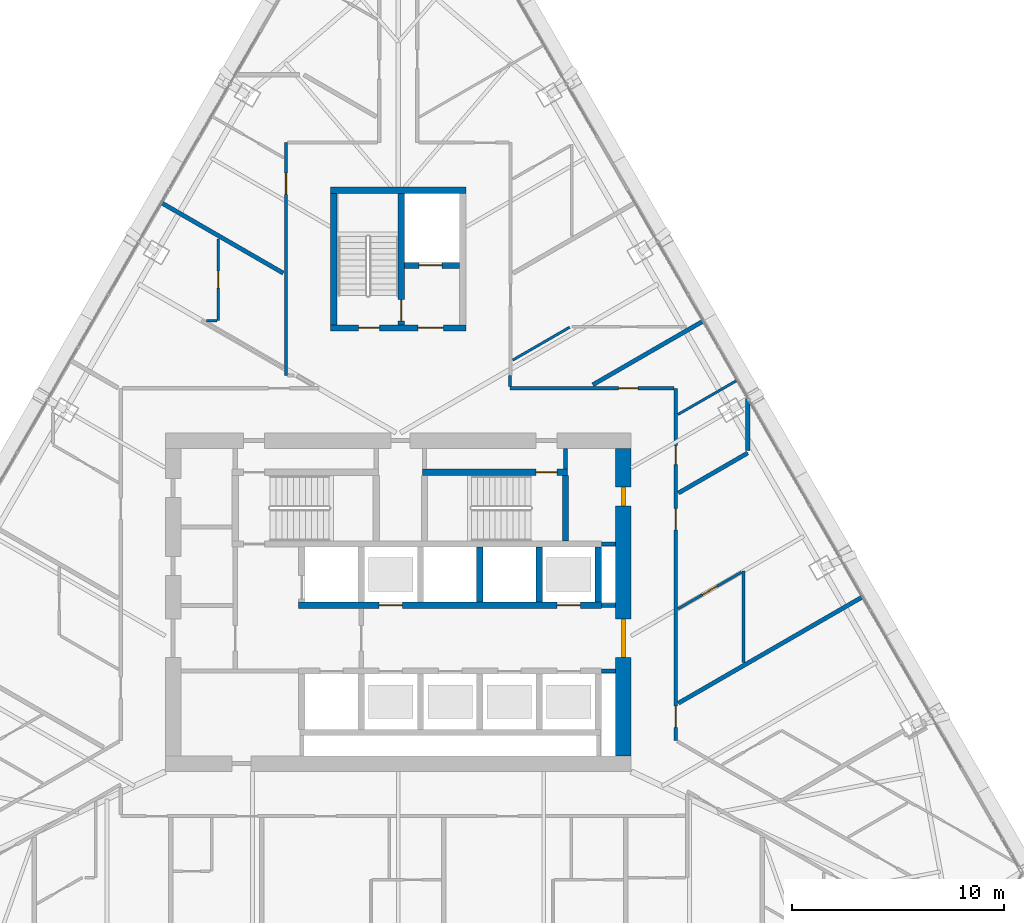
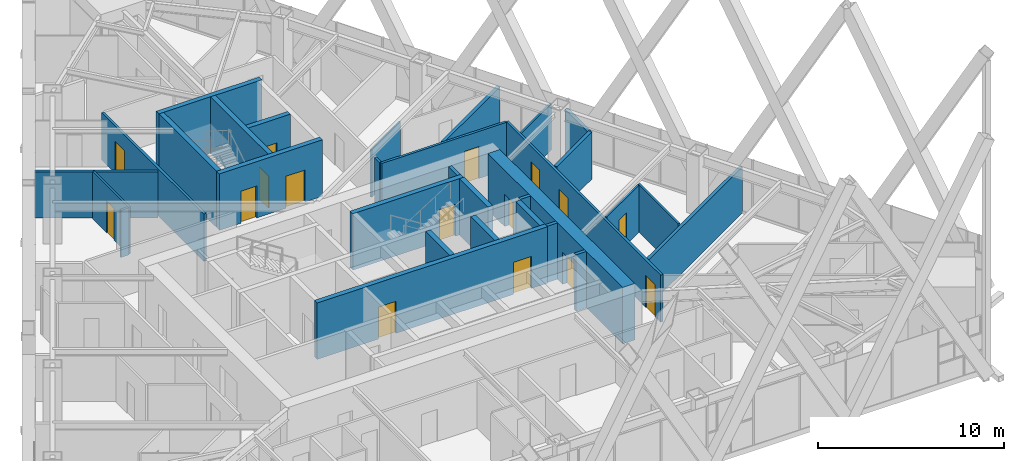
# One storey, part 20 of 23: 31 walls, 16 doors, 16 openings.
"""IFC4 building model written with IfcOpenShell, lengths in metres."""

from ifc_helpers import new_model, si_unit, direction, frame, frame_2d, origin, place, context, subcontext, project, spatial, rectangle, extrude, material, layer, layer_set, type_object, element, fill, save


model = new_model("IFC4")

# Units and contexts
model_context = context("Model", 3, precision=1e-05, world=origin(), true_north=direction((0.0, 1.0)))
body_context = subcontext(model_context, "Body", "Model", "MODEL_VIEW")
ifc_project = project(units=[si_unit("LENGTHUNIT", "METRE"), si_unit("AREAUNIT", "SQUARE_METRE"), si_unit("VOLUMEUNIT", "CUBIC_METRE"), si_unit("PLANEANGLEUNIT", "RADIAN"), si_unit("MASSUNIT", "GRAM", prefix="KILO")], contexts=[model_context])

# Site, building, storey
site_placement = place(None, origin())
site = spatial("IfcSite", under=ifc_project, at=site_placement, CompositionType="ELEMENT")
building_placement = place(site_placement, origin())
building = spatial("IfcBuilding", under=site, at=building_placement, Name="Firuza Gate Tower and Library", CompositionType="ELEMENT")
storey_placement = place(building_placement, frame((0.0, 0.0, 202.60009765625)))
storey = spatial("IfcBuildingStorey", under=building, at=storey_placement, Name="L47", CompositionType="ELEMENT", Elevation=202.60009765625)

# Walls
ifc_material_1 = material(Name="Plasterboard on steel studs", Category="steel")
ifc_layer_1 = layer(ifc_material_1, 0.199951171875)
ifc_layer_set_1 = layer_set([ifc_layer_1], Name="Core partition 200 EI 120")
wall_type_1 = type_object("IfcWallType", Name="Core partition 200 EI 120", PredefinedType="PARTITIONING", material=ifc_layer_set_1)
for number, where, z_axis, x_axis, name in (
    (1, (84.60009765625, 71.75, 0.0), (0.0, 0.0, 1.0), (1.0, 0.0, 0.0), "Core partition L47 2"),
    (2, (84.60009765625, 74.85009765625, 0.0), (0.0, 0.0, 1.0), (1.0, 0.0, 0.0), "Core partition L47 4"),
    (3, (84.60009765625, 77.75, 0.0), (0.0, 0.0, 1.0), (1.0, 0.0, 0.0), "Core partition L47 5"),
):
    element("IfcWall", number, at=place(storey_placement, frame(where, z_axis=z_axis, x_axis=x_axis)), inside=storey, type_object=wall_type_1, Name=name, PredefinedType="PARTITIONING", context=body_context, shape_type="SweptSolid", body=[
        extrude(rectangle(XDim=0.64990234375, YDim=0.199951171875, at=frame_2d((0.324951171875, 0.0))), origin(), (0.0, 0.0, 1.0), 3.699951171875),
    ])
ifc_material_2 = material(Name="Plasterboard on steel studs", Category="steel")
ifc_layer_2 = layer(ifc_material_2, 0.199951171875)
ifc_layer_set_2 = layer_set([ifc_layer_2], Name="Core partition 200 EI 60")
wall_type_2 = type_object("IfcWallType", Name="Core partition 200 EI 60", PredefinedType="PARTITIONING", material=ifc_layer_set_2)
wall_1_placement = place(storey_placement, frame((82.89990234375, 81.280029296875, 0.0), z_axis=(0.0, 0.0, 1.0), x_axis=(0.0, 1.0, 0.0)))
element("IfcWall", 4, at=wall_1_placement, inside=storey, type_object=wall_type_2, Name="Core partition L47 13", PredefinedType="PARTITIONING", context=body_context, shape_type="SweptSolid", body=[
    extrude(rectangle(XDim=0.969970703125, YDim=0.199951171875, at=frame_2d((0.48486328125, 0.0))), origin(), (0.0, 0.0, 1.0), 3.699951171875),
])

# Wall, openings, doors
ifc_material_3 = material(Name="Concrete C80/95", Category="concrete")
ifc_layer_3 = layer(ifc_material_3, 0.300048828125)
ifc_layer_set_3 = layer_set([ifc_layer_3], Name="Core wall 300 C80/95")
wall_type_3 = type_object("IfcWallType", Name="Core wall 300 C80/95", PredefinedType="SHEAR", material=ifc_layer_set_3)
wall_2_placement = place(storey_placement, frame((70.300048828125, 74.85009765625, 0.0), z_axis=(0.0, 0.0, 1.0), x_axis=(1.0, 0.0, 0.0)))
wall_2 = element("IfcWall", 5, at=wall_2_placement, inside=storey, type_object=wall_type_3, Name="Core wall L47 7", PredefinedType="SHEAR", context=body_context, shape_type="SweptSolid", body=[
    extrude(rectangle(XDim=14.300048828125, YDim=0.300048828125, at=frame_2d((7.14990234375, 0.0))), origin(), (0.0, 0.0, 1.0), 3.699951171875),
])
opening_1_placement = place(wall_2_placement, frame((3.800048828125, 0.0, 0.0)))
opening_1 = element("IfcOpeningElement", 6, at=opening_1_placement, cuts=wall_2, Name="Opening LD-MR4-L47", PredefinedType="OPENING", context=body_context, shape_type="SweptSolid", body=[
    extrude(rectangle(XDim=1.10009765625, YDim=2.10009765625, at=frame_2d((0.550048828125, 1.050048828125))), frame((0.0, 0.16015625, 0.0), z_axis=(0.0, -1.0, 0.0), x_axis=(1.0, 0.0, 0.0)), (0.0, 0.0, 1.0), 0.320068359375),
])
opening_2_placement = place(wall_2_placement, frame((12.199951171875, 0.0, 0.0)))
opening_2 = element("IfcOpeningElement", 7, at=opening_2_placement, cuts=wall_2, Name="Opening LD-MR6-L47", PredefinedType="OPENING", context=body_context, shape_type="SweptSolid", body=[
    extrude(rectangle(XDim=1.10009765625, YDim=2.10009765625, at=frame_2d((0.550048828125, 1.050048828125))), frame((0.0, 0.16015625, 0.0), z_axis=(0.0, -1.0, 0.0), x_axis=(1.0, 0.0, 0.0)), (0.0, 0.0, 1.0), 0.320068359375),
])
ifc_material_4 = material(Name="Stainless steel", Category="steel")
door_type_1 = type_object("IfcDoorType", Name="Lift landing door 1100x2100", OperationType="DOUBLE_DOOR_SLIDING", PredefinedType="DOOR", material=ifc_material_4)
door_1_placement = place(opening_1_placement, origin())
door_1 = element("IfcDoor", 8, at=door_1_placement, inside=storey, type_object=door_type_1, Name="Landing door MR4 L47", OperationType="DOUBLE_DOOR_SLIDING", OverallHeight=2.10009765625, OverallWidth=1.10009765625, PredefinedType="DOOR", context=body_context, shape_type="SweptSolid", body=[
    extrude(rectangle(XDim=1.10009765625, YDim=2.10009765625, at=frame_2d((0.550048828125, 1.050048828125))), frame((0.0, 0.02490234375, 0.0), z_axis=(0.0, -1.0, 0.0), x_axis=(1.0, 0.0, 0.0)), (0.0, 0.0, 1.0), 0.050048828125),
])
fill(opening_1, door_1)
door_2_placement = place(opening_2_placement, origin())
door_2 = element("IfcDoor", 9, at=door_2_placement, inside=storey, type_object=door_type_1, Name="Landing door MR6 L47", OperationType="DOUBLE_DOOR_SLIDING", OverallHeight=2.10009765625, OverallWidth=1.10009765625, PredefinedType="DOOR", context=body_context, shape_type="SweptSolid", body=[
    extrude(rectangle(XDim=1.10009765625, YDim=2.10009765625, at=frame_2d((0.550048828125, 1.050048828125))), frame((0.0, 0.02490234375, 0.0), z_axis=(0.0, -1.0, 0.0), x_axis=(1.0, 0.0, 0.0)), (0.0, 0.0, 1.0), 0.050048828125),
])
fill(opening_2, door_2)

# Walls
for number, where, z_axis, x_axis, name in (
    (10, (78.85009765625, 75.0, 0.0), (0.0, 0.0, 1.0), (0.0, 1.0, 0.0), "Core wall L47 15"),
    (11, (81.64990234375, 75.0, 0.0), (0.0, 0.0, 1.0), (0.0, 1.0, 0.0), "Core wall L47 17"),
    (12, (84.449951171875, 75.0, 0.0), (0.0, 0.0, 1.0), (0.0, 1.0, 0.0), "Core wall L47 19"),
):
    element("IfcWall", number, at=place(storey_placement, frame(where, z_axis=z_axis, x_axis=x_axis)), inside=storey, type_object=wall_type_3, Name=name, PredefinedType="SHEAR", context=body_context, shape_type="SweptSolid", body=[
        extrude(rectangle(XDim=2.60009765625, YDim=0.300048828125, at=frame_2d((1.300048828125, 0.0))), origin(), (0.0, 0.0, 1.0), 3.699951171875),
    ])

# Wall, opening, door
wall_3_placement = place(storey_placement, frame((76.139892578125, 81.1298828125, 0.0), z_axis=(0.0, 0.0, 1.0), x_axis=(1.0, 0.0, 0.0)))
wall_3 = element("IfcWall", 13, at=wall_3_placement, inside=storey, type_object=wall_type_3, Name="Core wall L47 22", PredefinedType="SHEAR", context=body_context, shape_type="SweptSolid", body=[
    extrude(rectangle(XDim=6.860107421875, YDim=0.300048828125, at=frame_2d((3.43017578125, 0.0))), origin(), (0.0, 0.0, 1.0), 3.699951171875),
])
opening_3_placement = place(wall_3_placement, frame((5.364990234375, 0.0, 0.0)))
opening_3 = element("IfcOpeningElement", 14, at=opening_3_placement, cuts=wall_3, Name="Opening L47-K13", PredefinedType="OPENING", context=body_context, shape_type="SweptSolid", body=[
    extrude(rectangle(XDim=1.0, YDim=2.10009765625, at=frame_2d((0.5, 1.050048828125))), frame((0.0, 0.16015625, 0.0), z_axis=(0.0, -1.0, 0.0), x_axis=(1.0, 0.0, 0.0)), (0.0, 0.0, 1.0), 0.320068359375),
])
ifc_material_5 = material(Name="Steel", Category="steel")
door_type_2 = type_object("IfcDoorType", Name="Fire door 1000x2100 FD90", OperationType="NOTDEFINED", PredefinedType="DOOR", material=ifc_material_5)
door_3_placement = place(opening_3_placement, origin())
door_3 = element("IfcDoor", 15, at=door_3_placement, inside=storey, type_object=door_type_2, Name="Door L47-K13", OperationType="SINGLE_SWING_RIGHT", OverallHeight=2.10009765625, OverallWidth=1.0, PredefinedType="DOOR", context=body_context, shape_type="SweptSolid", body=[
    extrude(rectangle(XDim=1.0, YDim=2.10009765625, at=frame_2d((0.5, 1.050048828125))), frame((0.0, 0.02490234375, 0.0), z_axis=(0.0, -1.0, 0.0), x_axis=(1.0, 0.0, 0.0)), (0.0, 0.0, 1.0), 0.050048828125),
])
fill(opening_3, door_3)

# Wall
wall_4_placement = place(storey_placement, frame((82.89990234375, 77.89990234375, 0.0), z_axis=(0.0, 0.0, 1.0), x_axis=(0.0, 1.0, 0.0)))
element("IfcWall", 16, at=wall_4_placement, inside=storey, type_object=wall_type_3, Name="Core wall L47 26", PredefinedType="SHEAR", context=body_context, shape_type="SweptSolid", body=[
    extrude(rectangle(XDim=3.080078125, YDim=0.300048828125, at=frame_2d((1.5400390625, 0.0))), origin(), (0.0, 0.0, 1.0), 3.699951171875),
])

# Wall, openings, doors
wall_5_placement = place(storey_placement, frame((71.800048828125, 87.949951171875, 0.0), z_axis=(0.0, 0.0, 1.0), x_axis=(1.0, 0.0, 0.0)))
wall_5 = element("IfcWall", 17, at=wall_5_placement, inside=storey, type_object=wall_type_3, Name="Core wall L47 27", PredefinedType="SHEAR", context=body_context, shape_type="SweptSolid", body=[
    extrude(rectangle(XDim=6.39990234375, YDim=0.300048828125, at=frame_2d((3.199951171875, 0.0))), origin(), (0.0, 0.0, 1.0), 3.699951171875),
])
opening_4_placement = place(wall_5_placement, frame((1.324951171875, 0.0, 0.0)))
opening_4 = element("IfcOpeningElement", 18, at=opening_4_placement, cuts=wall_5, Name="Opening L47-K15", PredefinedType="OPENING", context=body_context, shape_type="SweptSolid", body=[
    extrude(rectangle(XDim=1.0, YDim=2.10009765625, at=frame_2d((0.5, 1.050048828125))), frame((0.0, 0.16015625, 0.0), z_axis=(0.0, -1.0, 0.0), x_axis=(1.0, 0.0, 0.0)), (0.0, 0.0, 1.0), 0.320068359375),
])
opening_5_placement = place(wall_5_placement, frame((4.125, 0.0, 0.0)))
opening_5 = element("IfcOpeningElement", 19, at=opening_5_placement, cuts=wall_5, Name="Opening L47-K17", PredefinedType="OPENING", context=body_context, shape_type="SweptSolid", body=[
    extrude(rectangle(XDim=1.199951171875, YDim=2.10009765625, at=frame_2d((0.60009765625, 1.050048828125))), frame((0.0, 0.16015625, 0.0), z_axis=(0.0, -1.0, 0.0), x_axis=(1.0, 0.0, 0.0)), (0.0, 0.0, 1.0), 0.320068359375),
])
door_4_placement = place(opening_4_placement, origin())
door_4 = element("IfcDoor", 20, at=door_4_placement, inside=storey, type_object=door_type_2, Name="Door L47-K15", OperationType="SINGLE_SWING_RIGHT", OverallHeight=2.10009765625, OverallWidth=1.0, PredefinedType="DOOR", context=body_context, shape_type="SweptSolid", body=[
    extrude(rectangle(XDim=1.0, YDim=2.10009765625, at=frame_2d((0.5, 1.050048828125))), frame((0.0, 0.02490234375, 0.0), z_axis=(0.0, -1.0, 0.0), x_axis=(1.0, 0.0, 0.0)), (0.0, 0.0, 1.0), 0.050048828125),
])
fill(opening_4, door_4)
ifc_material_6 = material(Name="Steel", Category="steel")
door_type_3 = type_object("IfcDoorType", Name="Fire door 1200x2100 FD30S", OperationType="NOTDEFINED", PredefinedType="DOOR", material=ifc_material_6)
door_5_placement = place(opening_5_placement, origin())
door_5 = element("IfcDoor", 21, at=door_5_placement, inside=storey, type_object=door_type_3, Name="Door L47-K17", OperationType="SINGLE_SWING_RIGHT", OverallHeight=2.10009765625, OverallWidth=1.199951171875, PredefinedType="DOOR", context=body_context, shape_type="SweptSolid", body=[
    extrude(rectangle(XDim=1.199951171875, YDim=2.10009765625, at=frame_2d((0.60009765625, 1.050048828125))), frame((0.0, 0.02490234375, 0.0), z_axis=(0.0, -1.0, 0.0), x_axis=(1.0, 0.0, 0.0)), (0.0, 0.0, 1.0), 0.050048828125),
])
fill(opening_5, door_5)

# Walls
wall_6_placement = place(storey_placement, frame((71.800048828125, 94.449951171875, 0.0), z_axis=(0.0, 0.0, 1.0), x_axis=(1.0, 0.0, 0.0)))
element("IfcWall", 22, at=wall_6_placement, inside=storey, type_object=wall_type_3, Name="Core wall L47 28", PredefinedType="SHEAR", context=body_context, shape_type="SweptSolid", body=[
    extrude(rectangle(XDim=6.39990234375, YDim=0.300048828125, at=frame_2d((3.199951171875, 0.0))), origin(), (0.0, 0.0, 1.0), 3.699951171875),
])
wall_7_placement = place(storey_placement, frame((71.949951171875, 88.10009765625, 0.0), z_axis=(0.0, 0.0, 1.0), x_axis=(0.0, 1.0, 0.0)))
element("IfcWall", 23, at=wall_7_placement, inside=storey, type_object=wall_type_3, Name="Core wall L47 29", PredefinedType="SHEAR", context=body_context, shape_type="SweptSolid", body=[
    extrude(rectangle(XDim=6.199951171875, YDim=0.300048828125, at=frame_2d((3.10009765625, 0.0))), origin(), (0.0, 0.0, 1.0), 3.699951171875),
])

# Wall, opening, door
wall_8_placement = place(storey_placement, frame((75.300048828125, 90.89990234375, 0.0), z_axis=(0.0, 0.0, 1.0), x_axis=(1.0, 0.0, 0.0)))
wall_8 = element("IfcWall", 24, at=wall_8_placement, inside=storey, type_object=wall_type_3, Name="Core wall L47 31", PredefinedType="SHEAR", context=body_context, shape_type="SweptSolid", body=[
    extrude(rectangle(XDim=2.599853515625, YDim=0.300048828125, at=frame_2d((1.2998046875, 0.0))), origin(), (0.0, 0.0, 1.0), 3.699951171875),
])
opening_6_placement = place(wall_8_placement, frame((0.675048828125, 0.0, 0.0)))
opening_6 = element("IfcOpeningElement", 25, at=opening_6_placement, cuts=wall_8, Name="Opening LD-SV1-L47", PredefinedType="OPENING", context=body_context, shape_type="SweptSolid", body=[
    extrude(rectangle(XDim=1.10009765625, YDim=2.10009765625, at=frame_2d((0.550048828125, 1.050048828125))), frame((0.0, 0.16015625, 0.0), z_axis=(0.0, -1.0, 0.0), x_axis=(1.0, 0.0, 0.0)), (0.0, 0.0, 1.0), 0.320068359375),
])
door_6_placement = place(opening_6_placement, origin())
door_6 = element("IfcDoor", 26, at=door_6_placement, inside=storey, type_object=door_type_1, Name="Landing door SV1 L47", OperationType="DOUBLE_DOOR_SLIDING", OverallHeight=2.10009765625, OverallWidth=1.10009765625, PredefinedType="DOOR", context=body_context, shape_type="SweptSolid", body=[
    extrude(rectangle(XDim=1.10009765625, YDim=2.10009765625, at=frame_2d((0.550048828125, 1.050048828125))), frame((0.0, 0.02490234375, 0.0), z_axis=(0.0, -1.0, 0.0), x_axis=(1.0, 0.0, 0.0)), (0.0, 0.0, 1.0), 0.050048828125),
])
fill(opening_6, door_6)

wall_9_placement = place(storey_placement, frame((75.14990234375, 88.10009765625, 0.0), z_axis=(0.0, 0.0, 1.0), x_axis=(0.0, 1.0, 0.0)))
wall_9 = element("IfcWall", 27, at=wall_9_placement, inside=storey, type_object=wall_type_3, Name="Core wall L47 32", PredefinedType="SHEAR", context=body_context, shape_type="SweptSolid", body=[
    extrude(rectangle(XDim=6.199951171875, YDim=0.300048828125, at=frame_2d((3.10009765625, 0.0))), origin(), (0.0, 0.0, 1.0), 3.699951171875),
])
opening_7_placement = place(wall_9_placement, frame((0.18505859375, 0.0, 0.0)))
opening_7 = element("IfcOpeningElement", 28, at=opening_7_placement, cuts=wall_9, Name="Opening L47-K16", PredefinedType="OPENING", context=body_context, shape_type="SweptSolid", body=[
    extrude(rectangle(XDim=1.0, YDim=2.10009765625, at=frame_2d((0.5, 1.050048828125))), frame((0.0, 0.16015625, 0.0), z_axis=(0.0, -1.0, 0.0), x_axis=(1.0, 0.0, 0.0)), (0.0, 0.0, 1.0), 0.320068359375),
])
door_7_placement = place(opening_7_placement, origin())
door_7 = element("IfcDoor", 29, at=door_7_placement, inside=storey, type_object=door_type_2, Name="Door L47-K16", OperationType="SINGLE_SWING_LEFT", OverallHeight=2.10009765625, OverallWidth=1.0, PredefinedType="DOOR", context=body_context, shape_type="SweptSolid", body=[
    extrude(rectangle(XDim=1.0, YDim=2.10009765625, at=frame_2d((0.5, 1.050048828125))), frame((0.0, 0.02490234375, 0.0), z_axis=(0.0, -1.0, 0.0), x_axis=(1.0, 0.0, 0.0)), (0.0, 0.0, 1.0), 0.050048828125),
])
fill(opening_7, door_7)

# Wall, openings, doors
ifc_material_7 = material(Name="Concrete C80/95", Category="concrete")
ifc_layer_4 = layer(ifc_material_7, 0.75)
ifc_layer_set_4 = layer_set([ifc_layer_4], Name="Core wall 750 C80/95")
wall_type_4 = type_object("IfcWallType", Name="Core wall 750 C80/95", PredefinedType="SHEAR", material=ifc_layer_set_4)
wall_10_placement = place(storey_placement, frame((85.625, 67.75, 0.0), z_axis=(0.0, 0.0, 1.0), x_axis=(0.0, 1.0, 0.0)))
wall_10 = element("IfcWall", 30, at=wall_10_placement, inside=storey, type_object=wall_type_4, Name="Core wall L47 4", PredefinedType="SHEAR", context=body_context, shape_type="SweptSolid", body=[
    extrude(rectangle(XDim=14.5, YDim=0.75, at=frame_2d((7.25, 0.0))), origin(), (0.0, 0.0, 1.0), 3.699951171875),
])
opening_8_placement = place(wall_10_placement, frame((4.64990234375, 0.0, 0.0)))
opening_8 = element("IfcOpeningElement", 31, at=opening_8_placement, cuts=wall_10, Name="Opening L47-K21", PredefinedType="OPENING", context=body_context, shape_type="SweptSolid", body=[
    extrude(rectangle(XDim=1.800048828125, YDim=2.10009765625, at=frame_2d((0.89990234375, 1.050048828125))), frame((0.0, 0.385009765625, 0.0), z_axis=(0.0, -1.0, 0.0), x_axis=(1.0, 0.0, 0.0)), (0.0, 0.0, 1.0), 0.77001953125),
])
opening_9_placement = place(wall_10_placement, frame((11.800048828125, 0.0, 0.0)))
opening_9 = element("IfcOpeningElement", 32, at=opening_9_placement, cuts=wall_10, Name="Opening L47-K26", PredefinedType="OPENING", context=body_context, shape_type="SweptSolid", body=[
    extrude(rectangle(XDim=0.89990234375, YDim=2.10009765625, at=frame_2d((0.449951171875, 1.050048828125))), frame((0.0, 0.385009765625, 0.0), z_axis=(0.0, -1.0, 0.0), x_axis=(1.0, 0.0, 0.0)), (0.0, 0.0, 1.0), 0.77001953125),
])
ifc_material_8 = material(Name="Steel", Category="steel")
door_type_4 = type_object("IfcDoorType", Name="Fire door 1800x2100 FD30S", OperationType="NOTDEFINED", PredefinedType="DOOR", material=ifc_material_8)
door_8_placement = place(opening_8_placement, origin())
door_8 = element("IfcDoor", 33, at=door_8_placement, inside=storey, type_object=door_type_4, Name="Door L47-K21", OperationType="SINGLE_SWING_RIGHT", OverallHeight=2.10009765625, OverallWidth=1.800048828125, PredefinedType="DOOR", context=body_context, shape_type="SweptSolid", body=[
    extrude(rectangle(XDim=1.800048828125, YDim=2.10009765625, at=frame_2d((0.89990234375, 1.050048828125))), frame((0.0, 0.094970703125, 0.0), z_axis=(0.0, -1.0, 0.0), x_axis=(1.0, 0.0, 0.0)), (0.0, 0.0, 1.0), 0.18994140625),
])
fill(opening_8, door_8)
ifc_material_9 = material(Name="Steel", Category="steel")
door_type_5 = type_object("IfcDoorType", Name="Fire door 900x2100 FD30S", OperationType="NOTDEFINED", PredefinedType="DOOR", material=ifc_material_9)
door_9_placement = place(opening_9_placement, origin())
door_9 = element("IfcDoor", 34, at=door_9_placement, inside=storey, type_object=door_type_5, Name="Door L47-K26", OperationType="SINGLE_SWING_LEFT", OverallHeight=2.10009765625, OverallWidth=0.89990234375, PredefinedType="DOOR", context=body_context, shape_type="SweptSolid", body=[
    extrude(rectangle(XDim=0.89990234375, YDim=2.10009765625, at=frame_2d((0.449951171875, 1.050048828125))), frame((0.0, 0.094970703125, 0.0), z_axis=(0.0, -1.0, 0.0), x_axis=(1.0, 0.0, 0.0)), (0.0, 0.0, 1.0), 0.18994140625),
])
fill(opening_9, door_9)

# Wall, opening, door
ifc_material_10 = material(Name="Gypsum board partition")
ifc_layer_5 = layer(ifc_material_10, 0.14990234375)
ifc_layer_set_5 = layer_set([ifc_layer_5], Name="Corridor wall 150 double board on steel studs")
wall_type_5 = type_object("IfcWallType", Name="Corridor wall 150 double board on steel studs", PredefinedType="PARTITIONING", material=ifc_layer_set_5)
wall_11_placement = place(storey_placement, frame((80.280517578125, 85.10009765625, 0.0), z_axis=(0.0, 0.0, 1.0), x_axis=(1.0, 0.0, 0.0)))
wall_11 = element("IfcWall", 35, at=wall_11_placement, inside=storey, type_object=wall_type_5, Name="f:L47:w010", PredefinedType="PARTITIONING", context=body_context, shape_type="SweptSolid", body=[
    extrude(rectangle(XDim=7.744384765625, YDim=0.14990234375, at=frame_2d((3.8720703125, 0.0))), origin(), (0.0, 0.0, 1.0), 3.099853515625),
])
opening_10_placement = place(wall_11_placement, frame((5.13037109375, 0.0, 0.0)))
opening_10 = element("IfcOpeningElement", 36, at=opening_10_placement, cuts=wall_11, Name="Opening L47-10", PredefinedType="OPENING", context=body_context, shape_type="SweptSolid", body=[
    extrude(rectangle(XDim=0.89990234375, YDim=2.10009765625, at=frame_2d((0.449951171875, 1.050048828125))), frame((0.0, 0.0849609375, 0.0), z_axis=(0.0, -1.0, 0.0), x_axis=(1.0, 0.0, 0.0)), (0.0, 0.0, 1.0), 0.169921875),
])
ifc_material_11 = material(Name="Steel door and timber leaf", Category="steel")
door_type_6 = type_object("IfcDoorType", Name="Fire door 900 x 2100 steel frame, timber leaf", OperationType="NOTDEFINED", PredefinedType="DOOR", material=ifc_material_11)
door_10_placement = place(opening_10_placement, origin())
door_10 = element("IfcDoor", 37, at=door_10_placement, inside=storey, type_object=door_type_6, Name="f:L47:d010", OperationType="SINGLE_SWING_RIGHT", OverallHeight=2.10009765625, OverallWidth=0.89990234375, PredefinedType="DOOR", context=body_context, shape_type="SweptSolid", body=[
    extrude(rectangle(XDim=0.89990234375, YDim=2.10009765625, at=frame_2d((0.449951171875, 1.050048828125))), frame((0.0, 0.02490234375, 0.0), z_axis=(0.0, -1.0, 0.0), x_axis=(1.0, 0.0, 0.0)), (0.0, 0.0, 1.0), 0.050048828125),
])
fill(opening_10, door_10)

# Wall, openings, doors
wall_12_placement = place(storey_placement, frame((88.10009765625, 85.10009765625, 0.0), z_axis=(0.0, 0.0, 1.0), x_axis=(0.0, -1.0, 0.0)))
wall_12 = element("IfcWall", 38, at=wall_12_placement, inside=storey, type_object=wall_type_5, Name="f:L47:w045", PredefinedType="PARTITIONING", context=body_context, shape_type="SweptSolid", body=[
    extrude(rectangle(XDim=16.6240234375, YDim=0.14990234375, at=frame_2d((8.31201171875, 0.0))), origin(), (0.0, 0.0, 1.0), 3.099853515625),
])
opening_11_placement = place(wall_12_placement, frame((2.706787109375, 0.0, 0.0)))
opening_11 = element("IfcOpeningElement", 39, at=opening_11_placement, cuts=wall_12, Name="Opening L47-23", PredefinedType="OPENING", context=body_context, shape_type="SweptSolid", body=[
    extrude(rectangle(XDim=0.89990234375, YDim=2.10009765625, at=frame_2d((0.449951171875, 1.050048828125))), frame((0.0, 0.0849609375, 0.0), z_axis=(0.0, -1.0, 0.0), x_axis=(1.0, 0.0, 0.0)), (0.0, 0.0, 1.0), 0.169921875),
])
opening_12_placement = place(wall_12_placement, frame((5.68359375, 0.0, 0.0)))
opening_12 = element("IfcOpeningElement", 40, at=opening_12_placement, cuts=wall_12, Name="Opening L47-24", PredefinedType="OPENING", context=body_context, shape_type="SweptSolid", body=[
    extrude(rectangle(XDim=1.0, YDim=2.10009765625, at=frame_2d((0.5, 1.050048828125))), frame((0.0, 0.0849609375, 0.0), z_axis=(0.0, -1.0, 0.0), x_axis=(1.0, 0.0, 0.0)), (0.0, 0.0, 1.0), 0.169921875),
])
opening_13_placement = place(wall_12_placement, frame((15.01025390625, 0.0, 0.0)))
opening_13 = element("IfcOpeningElement", 41, at=opening_13_placement, cuts=wall_12, Name="Opening L47-25", PredefinedType="OPENING", context=body_context, shape_type="SweptSolid", body=[
    extrude(rectangle(XDim=1.0, YDim=2.10009765625, at=frame_2d((0.5, 1.050048828125))), frame((0.0, 0.0849609375, 0.0), z_axis=(0.0, -1.0, 0.0), x_axis=(1.0, 0.0, 0.0)), (0.0, 0.0, 1.0), 0.169921875),
])
ifc_material_12 = material(Name="Steel door and timber leaf", Category="steel")
door_type_7 = type_object("IfcDoorType", Name="Fire door 1000 x 2100 steel frame, timber leaf", OperationType="NOTDEFINED", PredefinedType="DOOR", material=ifc_material_12)
door_11_placement = place(opening_12_placement, origin())
door_11 = element("IfcDoor", 42, at=door_11_placement, inside=storey, type_object=door_type_7, Name="f:L47:d024", OperationType="SINGLE_SWING_RIGHT", OverallHeight=2.10009765625, OverallWidth=1.0, PredefinedType="DOOR", context=body_context, shape_type="SweptSolid", body=[
    extrude(rectangle(XDim=1.0, YDim=2.10009765625, at=frame_2d((0.5, 1.050048828125))), frame((0.0, 0.02490234375, 0.0), z_axis=(0.0, -1.0, 0.0), x_axis=(1.0, 0.0, 0.0)), (0.0, 0.0, 1.0), 0.050048828125),
])
fill(opening_12, door_11)
door_12_placement = place(opening_13_placement, origin())
door_12 = element("IfcDoor", 43, at=door_12_placement, inside=storey, type_object=door_type_7, Name="f:L47:d025", OperationType="SINGLE_SWING_RIGHT", OverallHeight=2.10009765625, OverallWidth=1.0, PredefinedType="DOOR", context=body_context, shape_type="SweptSolid", body=[
    extrude(rectangle(XDim=1.0, YDim=2.10009765625, at=frame_2d((0.5, 1.050048828125))), frame((0.0, 0.02490234375, 0.0), z_axis=(0.0, -1.0, 0.0), x_axis=(1.0, 0.0, 0.0)), (0.0, 0.0, 1.0), 0.050048828125),
])
fill(opening_13, door_12)
door_13_placement = place(opening_11_placement, origin())
door_13 = element("IfcDoor", 44, at=door_13_placement, inside=storey, type_object=door_type_6, Name="f:L47:d023", OperationType="SINGLE_SWING_RIGHT", OverallHeight=2.10009765625, OverallWidth=0.89990234375, PredefinedType="DOOR", context=body_context, shape_type="SweptSolid", body=[
    extrude(rectangle(XDim=0.89990234375, YDim=2.10009765625, at=frame_2d((0.449951171875, 1.050048828125))), frame((0.0, 0.02490234375, 0.0), z_axis=(0.0, -1.0, 0.0), x_axis=(1.0, 0.0, 0.0)), (0.0, 0.0, 1.0), 0.050048828125),
])
fill(opening_11, door_13)

# Wall
wall_13_placement = place(storey_placement, frame((80.281005859375, 85.175048828125, 0.0), z_axis=(0.0, 0.0, 1.0), x_axis=(0.0, 1.0, 0.0)))
element("IfcWall", 45, at=wall_13_placement, inside=storey, type_object=wall_type_5, Name="f:L47:w051", PredefinedType="PARTITIONING", context=body_context, shape_type="SweptSolid", body=[
    extrude(rectangle(XDim=0.52490234375, YDim=0.14990234375, at=frame_2d((0.262451171875, 0.0))), origin(), (0.0, 0.0, 1.0), 3.099853515625),
])

# Wall, opening, door
wall_14_placement = place(storey_placement, frame((69.699951171875, 85.700439453125, 0.0), z_axis=(0.0, 0.0, 1.0), x_axis=(0.0, 1.0, 0.0)))
wall_14 = element("IfcWall", 46, at=wall_14_placement, inside=storey, type_object=wall_type_5, Name="f:L47:w058", PredefinedType="PARTITIONING", context=body_context, shape_type="SweptSolid", body=[
    extrude(rectangle(XDim=10.9990234375, YDim=0.14990234375, at=frame_2d((5.49951171875, 0.0))), origin(), (0.0, 0.0, 1.0), 3.096923828125),
])
opening_14_placement = place(wall_14_placement, frame((8.554931640625, 0.0, 0.0)))
opening_14 = element("IfcOpeningElement", 47, at=opening_14_placement, cuts=wall_14, Name="Opening L47-31", PredefinedType="OPENING", context=body_context, shape_type="SweptSolid", body=[
    extrude(rectangle(XDim=1.0, YDim=2.10009765625, at=frame_2d((0.5, 1.050048828125))), frame((0.0, 0.0849609375, 0.0), z_axis=(0.0, -1.0, 0.0), x_axis=(1.0, 0.0, 0.0)), (0.0, 0.0, 1.0), 0.169921875),
])
door_14_placement = place(opening_14_placement, origin())
door_14 = element("IfcDoor", 48, at=door_14_placement, inside=storey, type_object=door_type_7, Name="f:L47:d031", OperationType="SINGLE_SWING_RIGHT", OverallHeight=2.10009765625, OverallWidth=1.0, PredefinedType="DOOR", context=body_context, shape_type="SweptSolid", body=[
    extrude(rectangle(XDim=1.0, YDim=2.10009765625, at=frame_2d((0.5, 1.050048828125))), frame((0.0, 0.02490234375, 0.0), z_axis=(0.0, -1.0, 0.0), x_axis=(1.0, 0.0, 0.0)), (0.0, 0.0, 1.0), 0.050048828125),
])
fill(opening_14, door_14)

# Walls
ifc_material_13 = material(Name="Gypsum board partition")
ifc_layer_6 = layer(ifc_material_13, 0.199951171875)
ifc_layer_set_6 = layer_set([ifc_layer_6], Name="Demising wall 200 acoustic double stud")
wall_type_6 = type_object("IfcWallType", Name="Demising wall 200 acoustic double stud", PredefinedType="PARTITIONING", material=ifc_layer_set_6)
wall_15_placement = place(storey_placement, frame((88.226806640625, 70.23291015625, 0.0), z_axis=(0.0, 0.0, 1.0), x_axis=(0.866032780528, 0.499987222889, 0.0)))
element("IfcWall", 49, at=wall_15_placement, inside=storey, type_object=wall_type_6, Name="f:L47:w022", PredefinedType="PARTITIONING", context=body_context, shape_type="SweptSolid", body=[
    extrude(rectangle(XDim=10.030517578125, YDim=0.199951171875, at=frame_2d((5.01513671875, 0.0))), origin(), (0.0, 0.0, 1.0), 3.02197265625),
])
wall_16_placement = place(storey_placement, frame((88.227294921875, 80.1552734375, 0.0), z_axis=(0.0, 0.0, 1.0), x_axis=(0.86599624775, 0.500050496333, 0.0)))
element("IfcWall", 50, at=wall_16_placement, inside=storey, type_object=wall_type_6, Name="f:L47:w026", PredefinedType="PARTITIONING", context=body_context, shape_type="SweptSolid", body=[
    extrude(rectangle(XDim=3.779296875, YDim=0.199951171875, at=frame_2d((1.8896484375, 0.0))), origin(), (0.0, 0.0, 1.0), 3.099853515625),
])
wall_17_placement = place(storey_placement, frame((84.185546875, 85.26513671875, 0.0), z_axis=(0.0, 0.0, 1.0), x_axis=(0.866028754818, 0.499994195795, 0.0)))
element("IfcWall", 51, at=wall_17_placement, inside=storey, type_object=wall_type_6, Name="f:L47:w032", PredefinedType="PARTITIONING", context=body_context, shape_type="SweptSolid", body=[
    extrude(rectangle(XDim=6.01416015625, YDim=0.199951171875, at=frame_2d((3.007080078125, 0.0))), origin(), (0.0, 0.0, 1.0), 3.02197265625),
])
wall_18_placement = place(storey_placement, frame((91.5, 82.160888671875, 0.0), z_axis=(0.0, 0.0, 1.0), x_axis=(0.0, 1.0, 0.0)))
element("IfcWall", 52, at=wall_18_placement, inside=storey, type_object=wall_type_6, Name="f:L47:w042", PredefinedType="PARTITIONING", context=body_context, shape_type="SweptSolid", body=[
    extrude(rectangle(XDim=2.463623046875, YDim=0.199951171875, at=frame_2d((1.23193359375, 0.0))), origin(), (0.0, 0.0, 1.0), 3.02197265625),
])
wall_19_placement = place(storey_placement, frame((69.572998046875, 90.537109375, 0.0), z_axis=(0.0, 0.0, 1.0), x_axis=(-0.866026229868, 0.499998569178, 0.0)))
element("IfcWall", 53, at=wall_19_placement, inside=storey, type_object=wall_type_6, Name="f:L47:w078", PredefinedType="PARTITIONING", context=body_context, shape_type="SweptSolid", body=[
    extrude(rectangle(XDim=6.63330078125, YDim=0.199951171875, at=frame_2d((3.316650390625, 0.0))), origin(), (0.0, 0.0, 1.0), 3.02197265625),
])
ifc_material_14 = material(Name="Gypsum board partition")
ifc_layer_7 = layer(ifc_material_14, 0.1201171875)
ifc_layer_set_7 = layer_set([ifc_layer_7], Name="Wet-area partition 120 moisture-resistant board")
wall_type_7 = type_object("IfcWallType", Name="Wet-area partition 120 moisture-resistant board", PredefinedType="PARTITIONING", material=ifc_layer_set_7)
wall_20_placement = place(storey_placement, frame((65.943603515625, 88.300048828125, 0.0), z_axis=(0.0, 0.0, 1.0), x_axis=(1.0, 0.0, 0.0)))
element("IfcWall", 54, at=wall_20_placement, inside=storey, type_object=wall_type_7, Name="f:L47:w013", PredefinedType="PARTITIONING", context=body_context, shape_type="SweptSolid", body=[
    extrude(rectangle(XDim=0.496337890625, YDim=0.1201171875, at=frame_2d((0.248046875, 0.0))), origin(), (0.0, 0.0, 1.0), 3.096923828125),
])

# Wall, opening, door
wall_21_placement = place(storey_placement, frame((91.205322265625, 76.417724609375, 0.0), z_axis=(0.0, 0.0, 1.0), x_axis=(-0.865997524453, -0.50004828531, 0.0)))
wall_21 = element("IfcWall", 55, at=wall_21_placement, inside=storey, type_object=wall_type_7, Name="f:L47:w023", PredefinedType="PARTITIONING", context=body_context, shape_type="SweptSolid", body=[
    extrude(rectangle(XDim=3.459228515625, YDim=0.1201171875, at=frame_2d((1.7294921875, 0.0))), origin(), (0.0, 0.0, 1.0), 3.099853515625),
])
opening_15_placement = place(wall_21_placement, frame((1.32958984375, 0.0, 0.0)))
opening_15 = element("IfcOpeningElement", 56, at=opening_15_placement, cuts=wall_21, Name="Opening L47-14", PredefinedType="OPENING", context=body_context, shape_type="SweptSolid", body=[
    extrude(rectangle(XDim=0.800048828125, YDim=2.10009765625, at=frame_2d((0.39990234375, 1.050048828125))), frame((0.0, 0.070068359375, 0.0), z_axis=(0.0, -1.0, 0.0), x_axis=(1.0, 0.0, 0.0)), (0.0, 0.0, 1.0), 0.14013671875),
])
ifc_material_15 = material(Name="Timber door", Category="wood")
door_type_8 = type_object("IfcDoorType", Name="Door 800 x 2100 timber leaf", OperationType="NOTDEFINED", PredefinedType="DOOR", material=ifc_material_15)
door_15_placement = place(opening_15_placement, origin())
door_15 = element("IfcDoor", 57, at=door_15_placement, inside=storey, type_object=door_type_8, Name="f:L47:d014", OperationType="SINGLE_SWING_LEFT", OverallHeight=2.10009765625, OverallWidth=0.800048828125, PredefinedType="DOOR", context=body_context, shape_type="SweptSolid", body=[
    extrude(rectangle(XDim=0.800048828125, YDim=2.10009765625, at=frame_2d((0.39990234375, 1.050048828125))), frame((0.0, 0.02490234375, 0.0), z_axis=(0.0, -1.0, 0.0), x_axis=(1.0, 0.0, 0.0)), (0.0, 0.0, 1.0), 0.050048828125),
])
fill(opening_15, door_15)

# Walls
wall_22_placement = place(storey_placement, frame((88.209716796875, 83.866943359375, 0.0), z_axis=(0.0, 0.0, 1.0), x_axis=(0.86605210011, 0.499953757757, 0.0)))
element("IfcWall", 58, at=wall_22_placement, inside=storey, type_object=wall_type_7, Name="f:L47:w030", PredefinedType="PARTITIONING", context=body_context, shape_type="SweptSolid", body=[
    extrude(rectangle(XDim=3.228271484375, YDim=0.1201171875, at=frame_2d((1.6142578125, 0.0))), origin(), (0.0, 0.0, 1.0), 3.02197265625),
])
wall_23_placement = place(storey_placement, frame((80.40966796875, 86.433837890625, 0.0), z_axis=(0.0, 0.0, 1.0), x_axis=(0.866030936828, 0.499990416364, 0.0)))
element("IfcWall", 59, at=wall_23_placement, inside=storey, type_object=wall_type_7, Name="f:L47:w033", PredefinedType="PARTITIONING", context=body_context, shape_type="SweptSolid", body=[
    extrude(rectangle(XDim=3.10205078125, YDim=0.1201171875, at=frame_2d((1.551025390625, 0.0))), origin(), (0.0, 0.0, 1.0), 3.099853515625),
])
wall_24_placement = place(storey_placement, frame((91.300048828125, 72.162353515625, 0.0), z_axis=(0.0, 0.0, 1.0), x_axis=(0.0, 1.0, 0.0)))
element("IfcWall", 60, at=wall_24_placement, inside=storey, type_object=wall_type_7, Name="f:L47:w043", PredefinedType="PARTITIONING", context=body_context, shape_type="SweptSolid", body=[
    extrude(rectangle(XDim=4.309814453125, YDim=0.1201171875, at=frame_2d((2.15478515625, 0.0))), origin(), (0.0, 0.0, 1.0), 3.099853515625),
])

# Wall, opening, door
wall_25_placement = place(storey_placement, frame((66.5, 92.156005859375, 0.0), z_axis=(0.0, 0.0, 1.0), x_axis=(0.0, -1.0, 0.0)))
wall_25 = element("IfcWall", 61, at=wall_25_placement, inside=storey, type_object=wall_type_7, Name="f:L47:w060", PredefinedType="PARTITIONING", context=body_context, shape_type="SweptSolid", body=[
    extrude(rectangle(XDim=3.85595703125, YDim=0.1201171875, at=frame_2d((1.927978515625, 0.0))), origin(), (0.0, 0.0, 1.0), 3.099853515625),
])
opening_16_placement = place(wall_25_placement, frame((1.528076171875, 0.0, 0.0)))
opening_16 = element("IfcOpeningElement", 62, at=opening_16_placement, cuts=wall_25, Name="Opening L47-32", PredefinedType="OPENING", context=body_context, shape_type="SweptSolid", body=[
    extrude(rectangle(XDim=0.800048828125, YDim=2.10009765625, at=frame_2d((0.39990234375, 1.050048828125))), frame((0.0, 0.070068359375, 0.0), z_axis=(0.0, -1.0, 0.0), x_axis=(1.0, 0.0, 0.0)), (0.0, 0.0, 1.0), 0.14013671875),
])
door_16_placement = place(opening_16_placement, origin())
door_16 = element("IfcDoor", 63, at=door_16_placement, inside=storey, type_object=door_type_8, Name="f:L47:d032", OperationType="SINGLE_SWING_RIGHT", OverallHeight=2.10009765625, OverallWidth=0.800048828125, PredefinedType="DOOR", context=body_context, shape_type="SweptSolid", body=[
    extrude(rectangle(XDim=0.800048828125, YDim=2.10009765625, at=frame_2d((0.39990234375, 1.050048828125))), frame((0.0, 0.02490234375, 0.0), z_axis=(0.0, -1.0, 0.0), x_axis=(1.0, 0.0, 0.0)), (0.0, 0.0, 1.0), 0.050048828125),
])
fill(opening_16, door_16)

save(model, "model.ifc")
